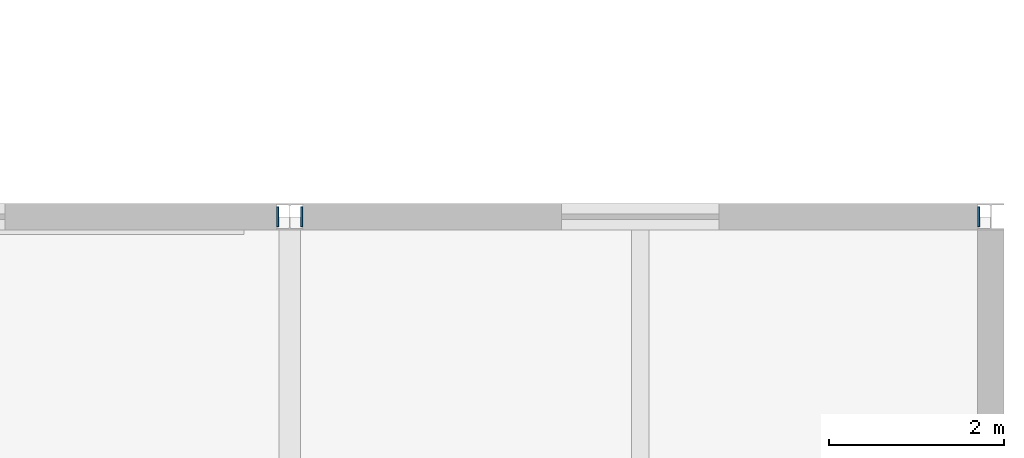
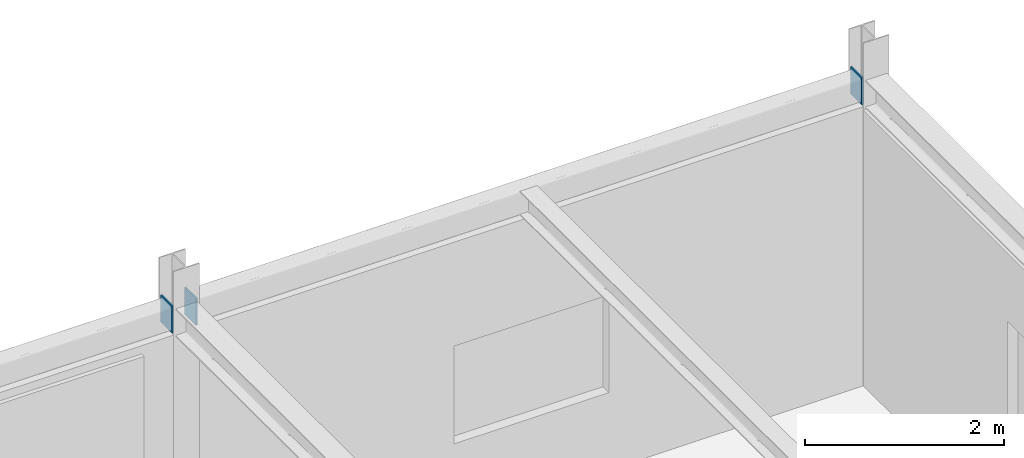
# One storey, part 74 of 88: 3 plates.
"""IFC4 building model written with IfcOpenShell, lengths in metres."""

from ifc_helpers import new_model, si_unit, direction, frame, origin, origin_2d, place, context, subcontext, project, spatial, rectangle, extrude, material, layer, layer_set, type_object, element, save


model = new_model("IFC4")

# Units and contexts
model_context = context("Model", 3, precision=1e-05, world=origin(), true_north=direction((0.0, 1.0)))
body_context = subcontext(model_context, "Body", "Model", "MODEL_VIEW")
ifc_project = project(units=[si_unit("LENGTHUNIT", "METRE"), si_unit("AREAUNIT", "SQUARE_METRE"), si_unit("VOLUMEUNIT", "CUBIC_METRE"), si_unit("PLANEANGLEUNIT", "RADIAN"), si_unit("MASSUNIT", "GRAM", prefix="KILO")], contexts=[model_context])

# Site, building, storey
site_placement = place(None, origin())
site = spatial("IfcSite", under=ifc_project, at=site_placement, CompositionType="ELEMENT")
building_placement = place(site_placement, origin())
building = spatial("IfcBuilding", under=site, at=building_placement, Name="Zhaolan Boulevard Law Courts", CompositionType="ELEMENT")
storey_placement = place(building_placement, frame((0.0, 0.0, 16.199951171875)))
storey = spatial("IfcBuildingStorey", under=building, at=storey_placement, Name="L03", CompositionType="ELEMENT", Elevation=16.199951171875)

# Plates
ifc_material = material(Name="Structural steel Q355B", Category="steel")
ifc_layer = layer(ifc_material, 0.02001953125)
ifc_layer_set = layer_set([ifc_layer])
plate_type = type_object("IfcPlateType", Name="END CAP PLATE 20", PredefinedType="SHEET", material=ifc_layer_set)
for number, where, z_axis, x_axis, name in (
    (1, (155.862060546875, 94.0, 3.423095703125), (0.0, 0.0, 1.0), (1.0, 0.0, 0.0), "Hollow Section End-Cap Plate ECP-0966"),
    (2, (156.137939453125, 94.0, 3.423095703125), (0.0, 0.0, 1.0), (1.0, 0.0, 0.0), "Hollow Section End-Cap Plate ECP-0967"),
    (3, (163.862060546875, 94.0, 3.423095703125), (0.0, 0.0, 1.0), (1.0, 0.0, 0.0), "Hollow Section End-Cap Plate ECP-0968"),
):
    element("IfcPlate", number, at=place(storey_placement, frame(where, z_axis=z_axis, x_axis=x_axis)), inside=storey, type_object=plate_type, Name=name, PredefinedType="SHEET", context=body_context, shape_type="SweptSolid", body=[
        extrude(rectangle(XDim=0.02001953125, YDim=0.22998046875, at=origin_2d()), origin(), (0.0, 0.0, 1.0), 0.330078125),
    ])

save(model, "model.ifc")
